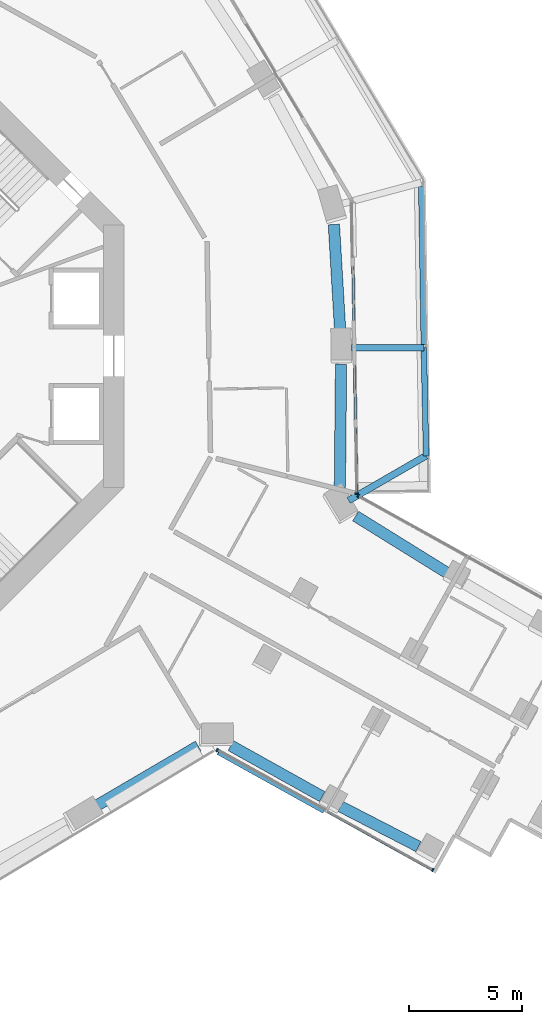
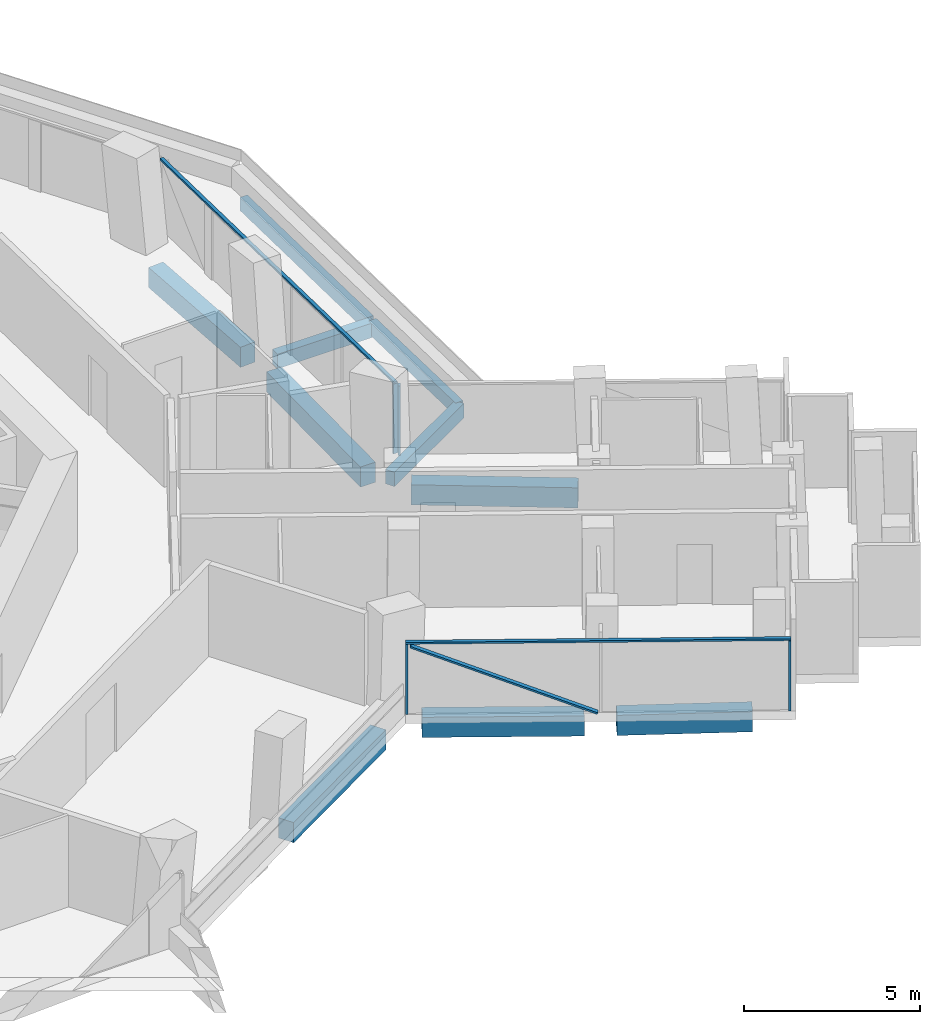
# One storey, part 6 of 25: 10 beams, 7 members, 3 elements without a shape of their own.
"""IFC4 building model written with IfcOpenShell, lengths in metres."""

from ifc_helpers import new_model, si_unit, direction, frame, origin, origin_2d, place, context, subcontext, project, spatial, rectangle, extrude, material, layer, layer_set, material_profile, profile_set, type_object, element, aggregate, save


model = new_model("IFC4")

# Units and contexts
model_context = context("Model", 3, precision=1e-05, world=origin(), true_north=direction((0.0, 1.0)))
body_context = subcontext(model_context, "Body", "Model", "MODEL_VIEW")
ifc_project = project(units=[si_unit("LENGTHUNIT", "METRE"), si_unit("AREAUNIT", "SQUARE_METRE"), si_unit("VOLUMEUNIT", "CUBIC_METRE"), si_unit("PLANEANGLEUNIT", "RADIAN"), si_unit("MASSUNIT", "GRAM", prefix="KILO")], contexts=[model_context])

# Site, building, storey
site_placement = place(None, origin())
site = spatial("IfcSite", under=ifc_project, at=site_placement, CompositionType="ELEMENT")
building_placement = place(site_placement, origin())
building = spatial("IfcBuilding", under=site, at=building_placement, Name="Verdalira Terraces Hotel", CompositionType="ELEMENT")
storey_placement = place(building_placement, frame((0.0, 0.0, 39.0)))
storey = spatial("IfcBuildingStorey", under=building, at=storey_placement, Name="L07", CompositionType="ELEMENT", Elevation=39.0)

# Beams
ifc_material_1 = material(Name="Concrete C40", Category="concrete")
ifc_material_profile_1 = material_profile(ifc_material_1, rectangle(XDim=0.300049, YDim=0.5, at=origin_2d()), Name="RC 300X500")
ifc_profile_set_1 = profile_set([ifc_material_profile_1], Name="Concrete C40")
beam_type_1 = type_object("IfcBeamType", Name="Balcony cantilever beam RC 300X500 C40", PredefinedType="BEAM", material=ifc_profile_set_1)
beam_1_placement = place(storey_placement, frame((23.93457, -6.37915, -0.560059), z_axis=(0.866032219, 0.499988196, 0.0), x_axis=(-0.499988196, 0.866032219, 0.0)))
element("IfcBeam", 1, at=beam_1_placement, inside=storey, type_object=beam_type_1, Name="Balcony cantilever beam R39-1", PredefinedType="BEAM", context=body_context, shape_type="SweptSolid", body=[
    extrude(rectangle(XDim=0.300049, YDim=0.5, at=origin_2d()), origin(), (0.0, 0.0, 1.0), 3.949707),
])
beam_2_placement = place(storey_placement, frame((24.055176, 0.371094, -0.560059), z_axis=(1.0, 0.0, 0.0), x_axis=(0.0, 1.0, 0.0)))
element("IfcBeam", 2, at=beam_2_placement, inside=storey, type_object=beam_type_1, Name="Balcony cantilever beam R39-2", PredefinedType="BEAM", context=body_context, shape_type="SweptSolid", body=[
    extrude(rectangle(XDim=0.300049, YDim=0.5, at=origin_2d()), origin(), (0.0, 0.0, 1.0), 3.200928),
])
ifc_material_2 = material(Name="Concrete C40", Category="concrete")
ifc_material_profile_2 = material_profile(ifc_material_2, rectangle(XDim=0.25, YDim=0.449951, at=origin_2d()), Name="RC 250X450")
ifc_profile_set_2 = profile_set([ifc_material_profile_2], Name="Concrete C40")
beam_type_2 = type_object("IfcBeamType", Name="Balcony edge beam RC 250X450 C40", PredefinedType="BEAM", material=ifc_profile_set_2)
beam_3_placement = place(storey_placement, frame((27.355225, -4.404297, -0.534912), z_axis=(-0.020752176, 0.99978465, 0.0), x_axis=(-0.99978465, -0.020752176, 0.0)))
element("IfcBeam", 3, at=beam_3_placement, inside=storey, type_object=beam_type_2, Name="Balcony edge beam R39-1", PredefinedType="BEAM", context=body_context, shape_type="SweptSolid", body=[
    extrude(rectangle(XDim=0.25, YDim=0.449951, at=origin_2d()), origin(), (0.0, 0.0, 1.0), 4.776367),
])
beam_4_placement = place(storey_placement, frame((27.253662, 0.520996, -0.534912), z_axis=(-0.015960802, 0.999872618, 0.0), x_axis=(-0.999872618, -0.015960802, 0.0)))
element("IfcBeam", 4, at=beam_4_placement, inside=storey, type_object=beam_type_2, Name="Balcony edge beam R39-2", PredefinedType="BEAM", context=body_context, shape_type="SweptSolid", body=[
    extrude(rectangle(XDim=0.25, YDim=0.449951, at=origin_2d()), origin(), (0.0, 0.0, 1.0), 6.990479),
])

# Curtain wall, members
ifc_material_3 = material(Name="Clear glass", Category="glass")
ifc_layer_1 = layer(ifc_material_3, 0.14990234375)
ifc_layer_set_1 = layer_set([ifc_layer_1], Name="CW1 curtain wall")
curtain_wall_type_1 = type_object("IfcCurtainWallType", Name="CW1 curtain wall", PredefinedType="NOTDEFINED", material=ifc_layer_set_1)
curtain_wall_1_placement = place(storey_placement, origin())
curtain_wall_1 = element("IfcCurtainWall", 5, at=curtain_wall_1_placement, inside=storey, type_object=curtain_wall_type_1, Name="CW1 curtain wall L07 edge 39", PredefinedType="NOTDEFINED")
ifc_material_4 = material(Name="Terracotta frame", Category="masonry")
ifc_material_profile_3 = material_profile(ifc_material_4, rectangle(XDim=0.060059, YDim=0.149902, at=origin_2d()), Name="MU 60x150")
ifc_profile_set_3 = profile_set([ifc_material_profile_3], Name="Terracotta frame")
member_type_1 = type_object("IfcMemberType", Name="CW1 mullion 60x150", PredefinedType="MULLION", material=ifc_profile_set_3)
member_1_placement = place(storey_placement, frame((24.28833, -6.063965, 0.0), z_axis=(0.0, 0.0, 1.0), x_axis=(-0.016754377, 0.999859636, 0.0)))
member_1 = element("IfcMember", 6, at=member_1_placement, type_object=member_type_1, Name="CW1 mullion", PredefinedType="MULLION", context=body_context, shape_type="SweptSolid", body=[
    extrude(rectangle(XDim=0.060059, YDim=0.149902, at=origin_2d()), origin(), (0.0, 0.0, 1.0), 2.425049),
])
ifc_material_5 = material(Name="Terracotta frame", Category="masonry")
ifc_material_profile_4 = material_profile(ifc_material_5, rectangle(XDim=0.110107, YDim=0.064941, at=origin_2d()), Name="TR 65x110")
ifc_profile_set_4 = profile_set([ifc_material_profile_4], Name="Terracotta frame")
member_type_2 = type_object("IfcMemberType", Name="CW1 transom 65x110", PredefinedType="USERDEFINED", material=ifc_profile_set_4)
member_2_placement = place(storey_placement, frame((24.288818, -6.093994, 2.45752), z_axis=(-0.016747218, 0.999859756, 0.0), x_axis=(-0.999859756, -0.016747218, 0.0)))
member_2 = element("IfcMember", 7, at=member_2_placement, type_object=member_type_2, Name="CW1 transom", ObjectType="TRANSOM", PredefinedType="USERDEFINED", context=body_context, shape_type="SweptSolid", body=[
    extrude(rectangle(XDim=0.110107, YDim=0.064941, at=origin_2d()), origin(), (0.0, 0.0, 1.0), 12.959717),
])
aggregate(curtain_wall_1, [member_1, member_2])

ifc_material_6 = material(Name="Clear glass", Category="glass")
ifc_layer_2 = layer(ifc_material_6, 0.14990234375)
ifc_layer_set_2 = layer_set([ifc_layer_2], Name="CW2 curtain wall")
curtain_wall_type_2 = type_object("IfcCurtainWallType", Name="CW2 curtain wall", PredefinedType="NOTDEFINED", material=ifc_layer_set_2)
curtain_wall_2_placement = place(storey_placement, origin())
curtain_wall_2 = element("IfcCurtainWall", 8, at=curtain_wall_2_placement, inside=storey, type_object=curtain_wall_type_2, Name="CW2 curtain wall L07 edge 28", PredefinedType="NOTDEFINED")
ifc_material_7 = material(Name="Terracotta frame", Category="masonry")
ifc_material_profile_5 = material_profile(ifc_material_7, rectangle(XDim=0.070068, YDim=0.149902, at=origin_2d()), Name="MU 70x150")
ifc_profile_set_5 = profile_set([ifc_material_profile_5], Name="Terracotta frame")
member_type_3 = type_object("IfcMemberType", Name="CW2 mullion 70x150", PredefinedType="MULLION", material=ifc_profile_set_5)
member_3_placement = place(storey_placement, frame((18.120361, -17.409668, 0.0), z_axis=(0.0, 0.0, 1.0), x_axis=(0.874281033, -0.485420102, 0.0)))
member_3 = element("IfcMember", 9, at=member_3_placement, type_object=member_type_3, Name="CW2 mullion", PredefinedType="MULLION", context=body_context, shape_type="SweptSolid", body=[
    extrude(rectangle(XDim=0.070068, YDim=0.149902, at=origin_2d()), origin(), (0.0, 0.0, 1.0), 2.425049),
])
member_4_placement = place(storey_placement, frame((27.647461, -22.699219, 0.0), z_axis=(0.0, 0.0, 1.0), x_axis=(0.874281033, -0.485420102, 0.0)))
member_4 = element("IfcMember", 10, at=member_4_placement, type_object=member_type_3, Name="CW2 mullion", PredefinedType="MULLION", context=body_context, shape_type="SweptSolid", body=[
    extrude(rectangle(XDim=0.070068, YDim=0.149902, at=origin_2d()), origin(), (0.0, 0.0, 1.0), 2.425049),
])

# Curtain wall, member
curtain_wall_3_placement = place(storey_placement, origin())
curtain_wall_3 = element("IfcCurtainWall", 11, at=curtain_wall_3_placement, inside=storey, type_object=curtain_wall_type_2, Name="CW2 curtain wall L07 edge 38", PredefinedType="NOTDEFINED")
member_5_placement = place(storey_placement, frame((24.35791, -6.175293, 0.0), z_axis=(0.0, 0.0, 1.0), x_axis=(-0.874281033, 0.485420102, 0.0)))
member_5 = element("IfcMember", 12, at=member_5_placement, type_object=member_type_3, Name="CW2 mullion", PredefinedType="MULLION", context=body_context, shape_type="SweptSolid", body=[
    extrude(rectangle(XDim=0.070068, YDim=0.149902, at=origin_2d()), origin(), (0.0, 0.0, 1.0), 2.425049),
])
aggregate(curtain_wall_3, [member_5])

# Member
ifc_material_8 = material(Name="Terracotta frame", Category="masonry")
ifc_material_profile_6 = material_profile(ifc_material_8, rectangle(XDim=0.11499, YDim=0.064941, at=origin_2d()), Name="TR 65x115")
ifc_profile_set_6 = profile_set([ifc_material_profile_6], Name="Terracotta frame")
member_type_4 = type_object("IfcMemberType", Name="CW2 transom 65x115", PredefinedType="USERDEFINED", material=ifc_profile_set_6)
member_6_placement = place(storey_placement, frame((18.089844, -17.392822, 2.45752), z_axis=(0.874283256, -0.485416098, 0.0), x_axis=(0.485416098, 0.874283256, 0.0)))
member_6 = element("IfcMember", 13, at=member_6_placement, type_object=member_type_4, Name="CW2 transom", ObjectType="TRANSOM", PredefinedType="USERDEFINED", context=body_context, shape_type="SweptSolid", body=[
    extrude(rectangle(XDim=0.11499, YDim=0.064941, at=origin_2d()), origin(), (0.0, 0.0, 1.0), 10.966797),
])

ifc_material_9 = material(Name="Terracotta frame", Category="masonry")
ifc_material_profile_7 = material_profile(ifc_material_9, rectangle(XDim=0.149902, YDim=0.060059, at=origin_2d()), Name="GB 60x150")
ifc_profile_set_7 = profile_set([ifc_material_profile_7], Name="Terracotta frame")
member_type_5 = type_object("IfcMemberType", Name="Diagonal glazing bar 60x150", PredefinedType="USERDEFINED", material=ifc_profile_set_7)
member_7_placement = place(storey_placement, frame((18.162354, -17.537109, 2.396729), z_axis=(0.798854565, -0.443570761, -0.406295907), x_axis=(0.485444442, 0.874267518, 0.0)))
member_7 = element("IfcMember", 14, at=member_7_placement, type_object=member_type_5, Name="Diagonal glazing bar", ObjectType="GLAZING BAR", PredefinedType="USERDEFINED", context=body_context, shape_type="SweptSolid", body=[
    extrude(rectangle(XDim=0.149902, YDim=0.060059, at=origin_2d()), origin(), (0.0, 0.0, 1.0), 5.829346),
])

aggregate(curtain_wall_2, [member_3, member_4, member_6, member_7])

# Beams
ifc_material_10 = material(Name="Concrete C70", Category="concrete")
ifc_material_profile_8 = material_profile(ifc_material_10, rectangle(XDim=0.5, YDim=0.699951, at=origin_2d()), Name="RC 500X700")
ifc_profile_set_8 = profile_set([ifc_material_profile_8], Name="Concrete C70")
beam_type_3 = type_object("IfcBeamType", Name="Spandrel beam RC 500X700 C70", PredefinedType="SPANDREL", material=ifc_profile_set_8)
beam_5_placement = place(storey_placement, frame((12.706543, -19.915283, -0.659912), z_axis=(0.86237696, 0.506266707, 0.0), x_axis=(-0.506266707, 0.86237696, 0.0)))
element("IfcBeam", 15, at=beam_5_placement, inside=storey, type_object=beam_type_3, Name="Spandrel beam B24", PredefinedType="SPANDREL", context=body_context, shape_type="SweptSolid", body=[
    extrude(rectangle(XDim=0.5, YDim=0.699951, at=origin_2d()), origin(), (0.0, 0.0, 1.0), 5.311768),
])
beam_6_placement = place(storey_placement, frame((18.729492, -17.209961, -0.659912), z_axis=(0.873203455, -0.487355852, 0.0), x_axis=(0.487355852, 0.873203455, 0.0)))
element("IfcBeam", 16, at=beam_6_placement, inside=storey, type_object=beam_type_3, Name="Spandrel beam B25", PredefinedType="SPANDREL", context=body_context, shape_type="SweptSolid", body=[
    extrude(rectangle(XDim=0.5, YDim=0.699951, at=origin_2d()), origin(), (0.0, 0.0, 1.0), 4.620361),
])
beam_7_placement = place(storey_placement, frame((23.578369, -19.898193, -0.659912), z_axis=(0.888942609, -0.4580186, 0.0), x_axis=(0.4580186, 0.888942609, 0.0)))
element("IfcBeam", 17, at=beam_7_placement, inside=storey, type_object=beam_type_3, Name="Spandrel beam B26", PredefinedType="SPANDREL", context=body_context, shape_type="SweptSolid", body=[
    extrude(rectangle(XDim=0.5, YDim=0.699951, at=origin_2d()), origin(), (0.0, 0.0, 1.0), 3.865479),
])
beam_8_placement = place(storey_placement, frame((28.275879, -9.572754, -0.659912), z_axis=(-0.849669561, 0.527315501, 0.0), x_axis=(-0.527315501, -0.849669561, 0.0)))
element("IfcBeam", 18, at=beam_8_placement, inside=storey, type_object=beam_type_3, Name="Spandrel beam B29", PredefinedType="SPANDREL", context=body_context, shape_type="SweptSolid", body=[
    extrude(rectangle(XDim=0.5, YDim=0.699951, at=origin_2d()), origin(), (0.0, 0.0, 1.0), 4.748047),
])
beam_9_placement = place(storey_placement, frame((23.545166, -5.800293, -0.659912), z_axis=(0.009784531, 0.99995213, 0.0), x_axis=(-0.99995213, 0.009784531, 0.0)))
element("IfcBeam", 19, at=beam_9_placement, inside=storey, type_object=beam_type_3, Name="Spandrel beam B30", PredefinedType="SPANDREL", context=body_context, shape_type="SweptSolid", body=[
    extrude(rectangle(XDim=0.5, YDim=0.699951, at=origin_2d()), origin(), (0.0, 0.0, 1.0), 5.439453),
])
beam_10_placement = place(storey_placement, frame((23.5625, 1.067383, -0.659912), z_axis=(-0.059296835, 0.998240395, 0.0), x_axis=(-0.998240395, -0.059296835, 0.0)))
element("IfcBeam", 20, at=beam_10_placement, inside=storey, type_object=beam_type_3, Name="Spandrel beam B31", PredefinedType="SPANDREL", context=body_context, shape_type="SweptSolid", body=[
    extrude(rectangle(XDim=0.5, YDim=0.699951, at=origin_2d()), origin(), (0.0, 0.0, 1.0), 4.755371),
])

save(model, "model.ifc")
